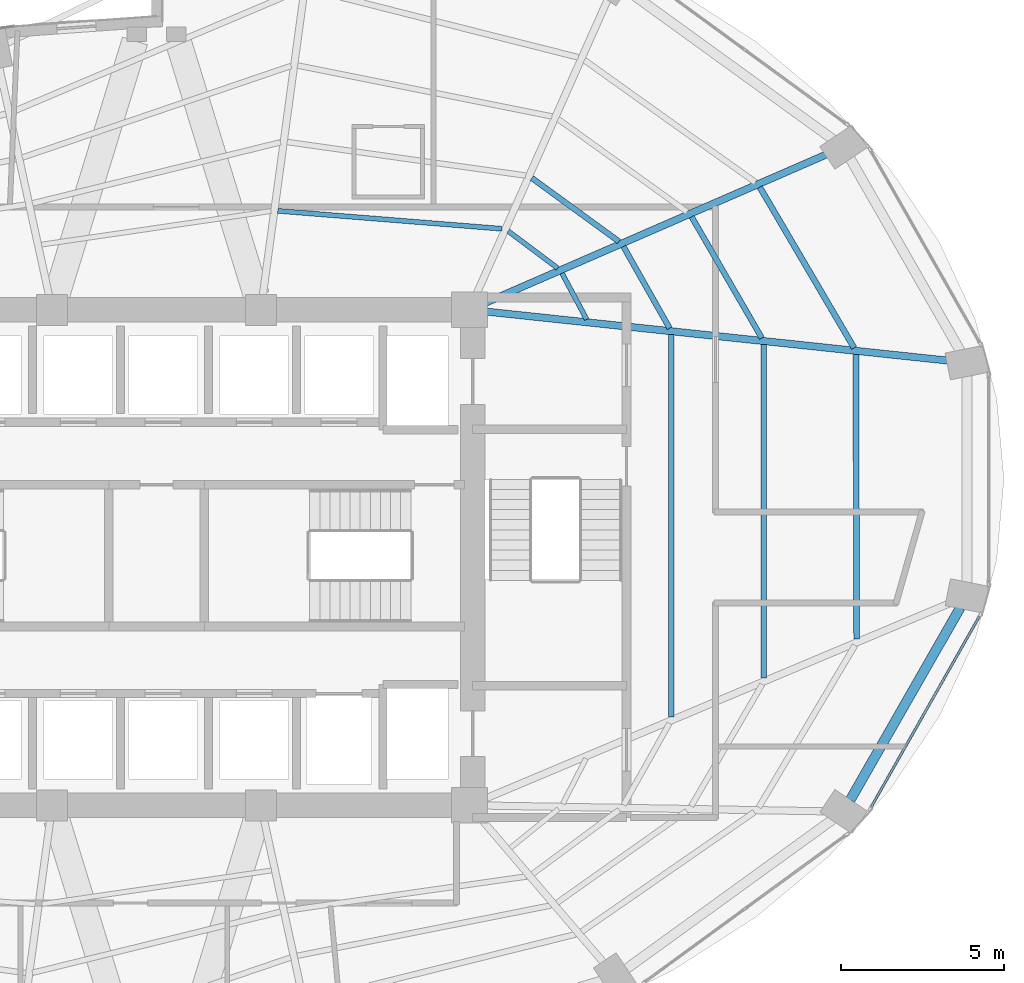
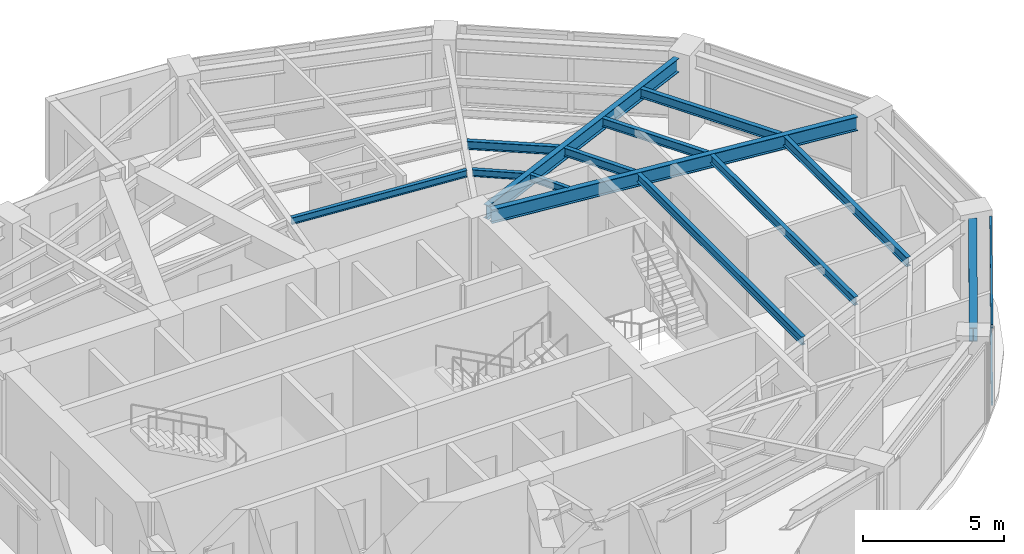
# One storey, part 13 of 24: 13 beams, 2 members, 1 element without a shape of its own.
"""IFC4 building model written with IfcOpenShell, lengths in metres."""

from ifc_helpers import new_model, si_unit, direction, frame, origin, origin_2d, place, context, subcontext, project, spatial, hollow_rectangle, i_section, extrude, material, layer, layer_set, material_profile, profile_set, type_object, element, aggregate, save


model = new_model("IFC4")

# Units and contexts
model_context = context("Model", 3, precision=1e-05, world=origin(), true_north=direction((0.0, 1.0)))
body_context = subcontext(model_context, "Body", "Model", "MODEL_VIEW")
ifc_project = project(units=[si_unit("LENGTHUNIT", "METRE"), si_unit("AREAUNIT", "SQUARE_METRE"), si_unit("VOLUMEUNIT", "CUBIC_METRE"), si_unit("PLANEANGLEUNIT", "RADIAN"), si_unit("MASSUNIT", "GRAM", prefix="KILO")], contexts=[model_context])

# Site, building, storey
site_placement = place(None, origin())
site = spatial("IfcSite", under=ifc_project, at=site_placement, CompositionType="ELEMENT")
building_placement = place(site_placement, origin())
building = spatial("IfcBuilding", under=site, at=building_placement, Name="Lazwardi Medical Tower", CompositionType="ELEMENT")
storey_placement = place(building_placement, frame((0.0, 0.0, 118.22412109375)))
storey = spatial("IfcBuildingStorey", under=building, at=storey_placement, Name="L30", CompositionType="ELEMENT", Elevation=118.22412109375)

# Beams
ifc_material_1 = material(Name="Steel S355", Category="steel")
ifc_material_profile_1 = material_profile(ifc_material_1, i_section(OverallWidth=0.300048828125, OverallDepth=0.60009765625, WebThickness=0.015380859375, FlangeThickness=0.030029296875, at=origin_2d()), Name="HEB 600")
ifc_profile_set_1 = profile_set([ifc_material_profile_1], Name="Steel S355")
beam_type_1 = type_object("IfcBeamType", Name="BM-RB-Z2", PredefinedType="BEAM", material=ifc_profile_set_1)
beam_1_placement = place(storey_placement, frame((57.281494140625, 20.561279296875, 3.1279296875), z_axis=(0.496653025517, 0.867949176072, 0.0), x_axis=(-0.867949176072, 0.496653025517, 0.0)))
element("IfcBeam", 1, at=beam_1_placement, inside=storey, type_object=beam_type_1, Name="Ring beam RB-03 B03 L30", PredefinedType="BEAM", context=body_context, shape_type="SweptSolid", body=[
    extrude(i_section(OverallWidth=0.300048828125, OverallDepth=0.60009765625, WebThickness=0.015380859375, FlangeThickness=0.030029296875, at=origin_2d()), origin(), (0.0, 0.0, 1.0), 6.80078125),
])
ifc_material_profile_2 = material_profile(ifc_material_1, i_section(OverallWidth=0.219970703125, OverallDepth=0.60009765625, WebThickness=0.011962890625, FlangeThickness=0.01904296875, at=origin_2d()), Name="IPE 600")
ifc_profile_set_2 = profile_set([ifc_material_profile_2], Name="Steel S355")
beam_type_2 = type_object("IfcBeamType", Name="BM-RG-W1", PredefinedType="BEAM", material=ifc_profile_set_2)
beam_2_placement = place(storey_placement, frame((60.2861328125, 34.041015625, 3.1279296875), z_axis=(-0.994413340753, 0.10555618282, 0.0), x_axis=(-0.10555618282, -0.994413340753, 0.0)))
element("IfcBeam", 2, at=beam_2_placement, inside=storey, type_object=beam_type_2, Name="Radial girder RG-02 R05 L30", PredefinedType="BEAM", context=body_context, shape_type="SweptSolid", body=[
    extrude(i_section(OverallWidth=0.219970703125, OverallDepth=0.60009765625, WebThickness=0.011962890625, FlangeThickness=0.01904296875, at=origin_2d()), origin(), (0.0, 0.0, 1.0), 14.233642578125),
])
beam_3_placement = place(storey_placement, frame((56.5458984375, 40.36328125, 3.1279296875), z_axis=(-0.916941336121, -0.399022037127, 0.0), x_axis=(0.399022037127, -0.916941336121, 0.0)))
element("IfcBeam", 3, at=beam_3_placement, inside=storey, type_object=beam_type_2, Name="Radial girder RG-02 R06 L30", PredefinedType="BEAM", context=body_context, shape_type="SweptSolid", body=[
    extrude(i_section(OverallWidth=0.219970703125, OverallDepth=0.60009765625, WebThickness=0.011962890625, FlangeThickness=0.01904296875, at=origin_2d()), origin(), (0.0, 0.0, 1.0), 11.40234375),
])
ifc_material_profile_3 = material_profile(ifc_material_1, i_section(OverallWidth=0.179931640625, OverallDepth=0.39990234375, WebThickness=0.008544921875, FlangeThickness=0.013427734375, at=origin_2d()), Name="IPE 400")
ifc_profile_set_3 = profile_set([ifc_material_profile_3], Name="Steel S355")
beam_type_3 = type_object("IfcBeamType", Name="BM-SJ-01", PredefinedType="JOIST", material=ifc_profile_set_3)
beam_4_placement = place(storey_placement, frame((57.48095703125, 25.502685546875, 3.227783203125), z_axis=(-0.002907126978, 0.999995774297, 0.0), x_axis=(-0.999995774297, -0.002907126978, 0.0)))
element("IfcBeam", 4, at=beam_4_placement, inside=storey, type_object=beam_type_3, Name="Secondary joist SJ-01 R1 B04 L30", PredefinedType="JOIST", context=body_context, shape_type="SweptSolid", body=[
    extrude(i_section(OverallWidth=0.179931640625, OverallDepth=0.39990234375, WebThickness=0.008544921875, FlangeThickness=0.013427734375, at=origin_2d()), origin(), (0.0, 0.0, 1.0), 8.73388671875),
])
beam_5_placement = place(storey_placement, frame((57.402099609375, 34.43212890625, 3.227783203125), z_axis=(-0.506195045201, 0.862419025888, 0.0), x_axis=(-0.862419025888, -0.506195045201, 0.0)))
element("IfcBeam", 5, at=beam_5_placement, inside=storey, type_object=beam_type_3, Name="Secondary joist SJ-01 R1 B05 L30", PredefinedType="JOIST", context=body_context, shape_type="SweptSolid", body=[
    extrude(i_section(OverallWidth=0.179931640625, OverallDepth=0.39990234375, WebThickness=0.008544921875, FlangeThickness=0.013427734375, at=origin_2d()), origin(), (0.0, 0.0, 1.0), 5.71728515625),
])
ifc_material_profile_4 = material_profile(ifc_material_1, i_section(OverallWidth=0.169921875, OverallDepth=0.360107421875, WebThickness=0.008056640625, FlangeThickness=0.0126953125, at=origin_2d()), Name="IPE 360")
ifc_profile_set_4 = profile_set([ifc_material_profile_4], Name="Steel S355")
beam_type_4 = type_object("IfcBeamType", Name="BM-SJ-02", PredefinedType="JOIST", material=ifc_profile_set_4)
beam_6_placement = place(storey_placement, frame((54.634033203125, 24.30517578125, 3.247802734375), z_axis=(-0.000930565095, 0.999999567024, 0.0), x_axis=(-0.999999567024, -0.000930565095, 0.0)))
element("IfcBeam", 6, at=beam_6_placement, inside=storey, type_object=beam_type_4, Name="Secondary joist SJ-02 R2 B04 L30", PredefinedType="JOIST", context=body_context, shape_type="SweptSolid", body=[
    extrude(i_section(OverallWidth=0.169921875, OverallDepth=0.360107421875, WebThickness=0.008056640625, FlangeThickness=0.0126953125, at=origin_2d()), origin(), (0.0, 0.0, 1.0), 10.23193359375),
])
beam_7_placement = place(storey_placement, frame((54.57177734375, 34.73291015625, 3.247802734375), z_axis=(-0.501365325212, 0.865235696602, 0.0), x_axis=(-0.865235696602, -0.501365325212, 0.0)))
element("IfcBeam", 7, at=beam_7_placement, inside=storey, type_object=beam_type_4, Name="Secondary joist SJ-02 R2 B05 L30", PredefinedType="JOIST", context=body_context, shape_type="SweptSolid", body=[
    extrude(i_section(OverallWidth=0.169921875, OverallDepth=0.360107421875, WebThickness=0.008056640625, FlangeThickness=0.0126953125, at=origin_2d()), origin(), (0.0, 0.0, 1.0), 4.298828125),
])
beam_8_placement = place(storey_placement, frame((51.787109375, 23.107421875, 3.247802734375), z_axis=(0.000561961365, 0.9999998421, 0.0), x_axis=(-0.9999998421, 0.000561961365, 0.0)))
element("IfcBeam", 8, at=beam_8_placement, inside=storey, type_object=beam_type_4, Name="Secondary joist SJ-02 R3 B04 L30", PredefinedType="JOIST", context=body_context, shape_type="SweptSolid", body=[
    extrude(i_section(OverallWidth=0.169921875, OverallDepth=0.360107421875, WebThickness=0.008056640625, FlangeThickness=0.0126953125, at=origin_2d()), origin(), (0.0, 0.0, 1.0), 11.72998046875),
])
beam_9_placement = place(storey_placement, frame((51.741943359375, 35.033935546875, 3.247802734375), z_axis=(-0.492026539517, 0.870580199873, 0.0), x_axis=(-0.870580199873, -0.492026539517, 0.0)))
element("IfcBeam", 9, at=beam_9_placement, inside=storey, type_object=beam_type_4, Name="Secondary joist SJ-02 R3 B05 L30", PredefinedType="JOIST", context=body_context, shape_type="SweptSolid", body=[
    extrude(i_section(OverallWidth=0.169921875, OverallDepth=0.360107421875, WebThickness=0.008056640625, FlangeThickness=0.0126953125, at=origin_2d()), origin(), (0.0, 0.0, 1.0), 2.880859375),
])
beam_10_placement = place(storey_placement, frame((50.18798828125, 37.6953125, 3.247802734375), z_axis=(-0.808301737247, 0.588768461761, 0.0), x_axis=(-0.588768461761, -0.808301737247, 0.0)))
element("IfcBeam", 10, at=beam_10_placement, inside=storey, type_object=beam_type_4, Name="Secondary joist SJ-02 R3 B06 L30", PredefinedType="JOIST", context=body_context, shape_type="SweptSolid", body=[
    extrude(i_section(OverallWidth=0.169921875, OverallDepth=0.360107421875, WebThickness=0.008056640625, FlangeThickness=0.0126953125, at=origin_2d()), origin(), (0.0, 0.0, 1.0), 3.307373046875),
])
ifc_material_profile_5 = material_profile(ifc_material_1, i_section(OverallWidth=0.14990234375, OverallDepth=0.300048828125, WebThickness=0.007080078125, FlangeThickness=0.0107421875, at=origin_2d()), Name="IPE 300")
ifc_profile_set_5 = profile_set([ifc_material_profile_5], Name="Steel S355")
beam_type_5 = type_object("IfcBeamType", Name="BM-SJ-03", PredefinedType="JOIST", material=ifc_profile_set_5)
beam_11_placement = place(storey_placement, frame((49.1962890625, 35.3056640625, 3.27783203125), z_axis=(-0.471022344925, 0.882121278839, 0.0), x_axis=(-0.882121278839, -0.471022344925, 0.0)))
element("IfcBeam", 11, at=beam_11_placement, inside=storey, type_object=beam_type_5, Name="Secondary joist SJ-03 R4 B05 L30", PredefinedType="JOIST", context=body_context, shape_type="SweptSolid", body=[
    extrude(i_section(OverallWidth=0.14990234375, OverallDepth=0.300048828125, WebThickness=0.007080078125, FlangeThickness=0.0107421875, at=origin_2d()), origin(), (0.0, 0.0, 1.0), 1.605224609375),
])
beam_12_placement = place(storey_placement, frame((48.306640625, 36.87744140625, 3.27783203125), z_axis=(-0.800447687995, 0.599402618265, 0.0), x_axis=(-0.599402618265, -0.800447687995, 0.0)))
element("IfcBeam", 12, at=beam_12_placement, inside=storey, type_object=beam_type_5, Name="Secondary joist SJ-03 R4 B06 L30", PredefinedType="JOIST", context=body_context, shape_type="SweptSolid", body=[
    extrude(i_section(OverallWidth=0.14990234375, OverallDepth=0.300048828125, WebThickness=0.007080078125, FlangeThickness=0.0107421875, at=origin_2d()), origin(), (0.0, 0.0, 1.0), 1.896728515625),
])
beam_13_placement = place(storey_placement, frame((46.599609375, 38.085693359375, 3.27783203125), z_axis=(-0.996816178299, 0.079733974445, 0.0), x_axis=(-0.079733974445, -0.996816178299, 0.0)))
element("IfcBeam", 13, at=beam_13_placement, inside=storey, type_object=beam_type_5, Name="Secondary joist SJ-03 R4 B07 L30", PredefinedType="JOIST", context=body_context, shape_type="SweptSolid", body=[
    extrude(i_section(OverallWidth=0.14990234375, OverallDepth=0.300048828125, WebThickness=0.007080078125, FlangeThickness=0.0107421875, at=origin_2d()), origin(), (0.0, 0.0, 1.0), 6.901611328125),
])

# Curtain wall, members
ifc_material_2 = material(Name="Anodised bronze aluminium and solar control glazing", Category="aluminium")
ifc_layer = layer(ifc_material_2, 0.195068359375)
ifc_layer_set = layer_set([ifc_layer], Name="Anodised bronze aluminium and solar control glazing")
curtain_wall_type = type_object("IfcCurtainWallType", Name="CW-SYS-03", PredefinedType="NOTDEFINED", material=ifc_layer_set)
curtain_wall_placement = place(storey_placement, origin())
curtain_wall = element("IfcCurtainWall", 14, at=curtain_wall_placement, inside=storey, type_object=curtain_wall_type, Name="L30 Unitised bronze curtain wall CW-03", PredefinedType="NOTDEFINED")
ifc_material_3 = material(Name="Anodised bronze aluminium", Category="aluminium")
ifc_material_profile_6 = material_profile(ifc_material_3, hollow_rectangle(XDim=0.074951171875, YDim=0.159912109375, WallThickness=0.00390625, at=origin_2d()), Name="ALU-TRANSOM 160x75x4")
ifc_profile_set_6 = profile_set([ifc_material_profile_6], Name="Anodised bronze aluminium")
member_type = type_object("IfcMemberType", Name="CW-TRN-01", PredefinedType="USERDEFINED", material=ifc_profile_set_6)
member_1_placement = place(storey_placement, frame((57.925537109375, 20.3466796875, 0.037353515625), z_axis=(0.493614427365, 0.869680859337, 0.0), x_axis=(-0.869680859337, 0.493614427365, 0.0)))
member_1 = element("IfcMember", 15, at=member_1_placement, type_object=member_type, Name="CW-03 transom 1.1", ObjectType="TRANSOM", PredefinedType="USERDEFINED", context=body_context, shape_type="SweptSolid", body=[
    extrude(hollow_rectangle(XDim=0.074951171875, YDim=0.159912109375, WallThickness=0.00390625, at=origin_2d()), origin(), (0.0, 0.0, 1.0), 6.72314453125),
])
member_2_placement = place(storey_placement, frame((57.925537109375, 20.3466796875, 3.390380859375), z_axis=(0.493614427365, 0.869680859337, 0.0), x_axis=(-0.869680859337, 0.493614427365, 0.0)))
member_2 = element("IfcMember", 16, at=member_2_placement, type_object=member_type, Name="CW-03 transom 1.2", ObjectType="TRANSOM", PredefinedType="USERDEFINED", context=body_context, shape_type="SweptSolid", body=[
    extrude(hollow_rectangle(XDim=0.074951171875, YDim=0.159912109375, WallThickness=0.00390625, at=origin_2d()), origin(), (0.0, 0.0, 1.0), 6.72314453125),
])
aggregate(curtain_wall, [member_1, member_2])

save(model, "model.ifc")
